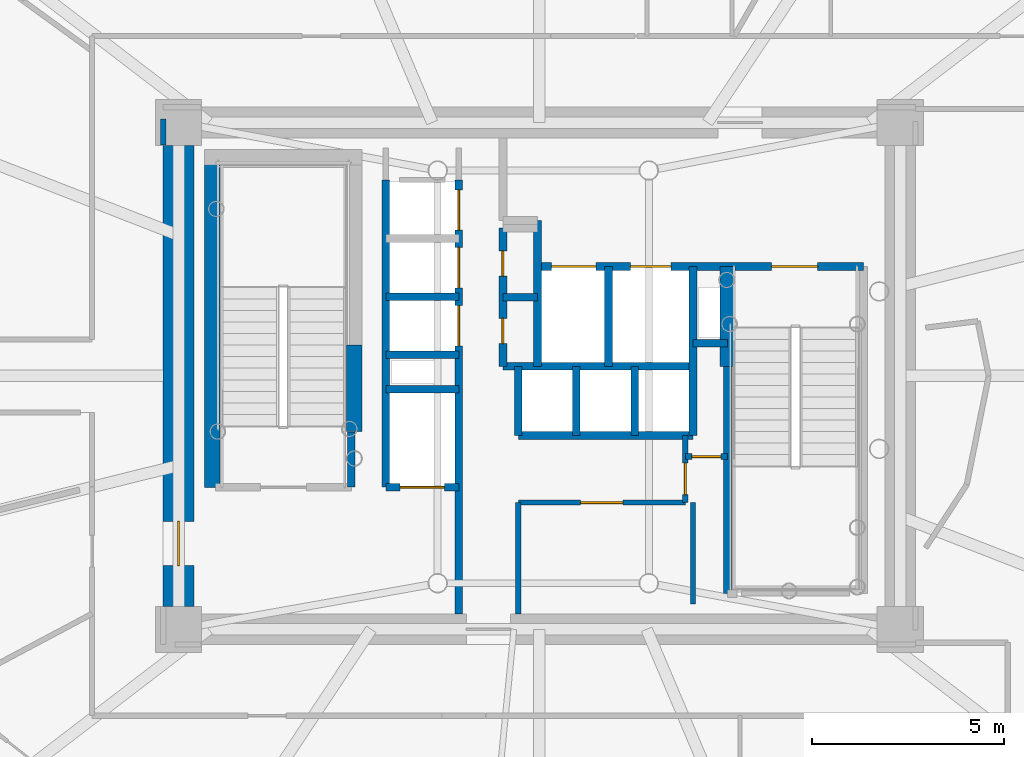
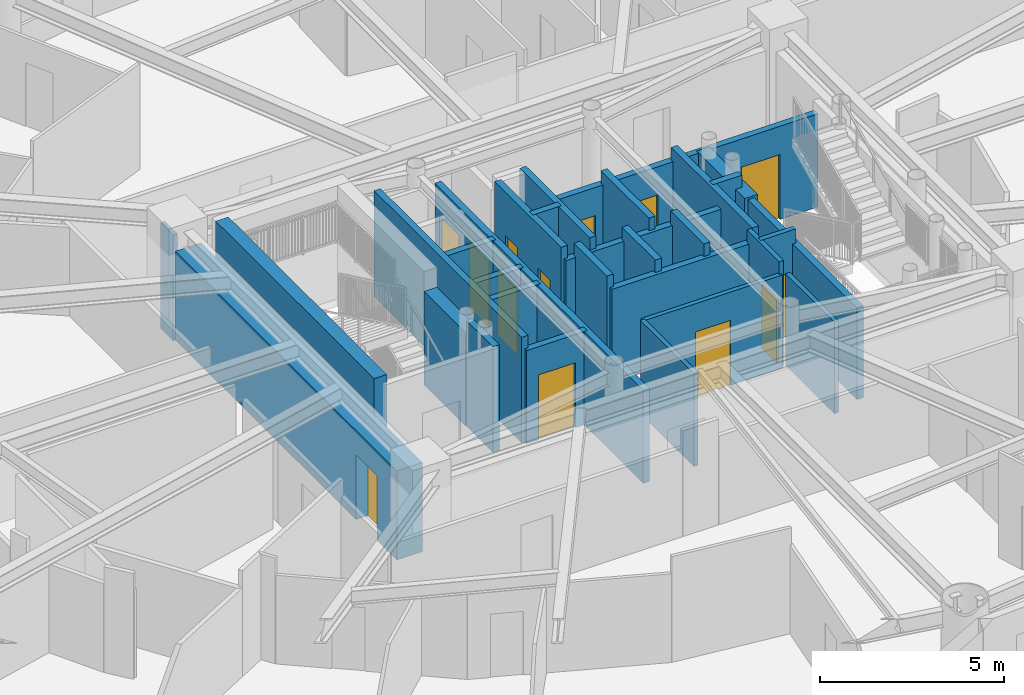
# One storey, part 8 of 17: 30 walls, 13 doors, 13 openings.
"""IFC4 building model written with IfcOpenShell, lengths in metres."""

from ifc_helpers import new_model, si_unit, direction, frame, frame_2d, origin, origin_2d, place, context, subcontext, project, spatial, rectangle, extrude, source, transform, mapped, material, layer, layer_set, type_object, element, fill, save


model = new_model("IFC4")

# Units and contexts
model_context = context("Model", 3, precision=1e-05, world=origin(), true_north=direction((0.0, 1.0)))
body_context = subcontext(model_context, "Body", "Model", "MODEL_VIEW")
ifc_project = project(units=[si_unit("LENGTHUNIT", "METRE"), si_unit("AREAUNIT", "SQUARE_METRE"), si_unit("VOLUMEUNIT", "CUBIC_METRE"), si_unit("PLANEANGLEUNIT", "RADIAN"), si_unit("MASSUNIT", "GRAM", prefix="KILO")], contexts=[model_context])

# Site, building, storey
site_placement = place(None, origin())
site = spatial("IfcSite", under=ifc_project, at=site_placement, CompositionType="ELEMENT")
building_placement = place(site_placement, origin())
building = spatial("IfcBuilding", under=site, at=building_placement, Name="Linh Dai School and Residence Tower", CompositionType="ELEMENT")
storey_placement = place(building_placement, frame((0.0, 0.0, 197.39990234375)))
storey = spatial("IfcBuildingStorey", under=building, at=storey_placement, Name="L48", CompositionType="ELEMENT", Elevation=197.39990234375)

# Wall
ifc_material_1 = material(Name="Autoclaved Aerated Concrete Blockwork", Category="masonry")
ifc_layer_1 = layer(ifc_material_1, 0.135009765625)
ifc_layer_set_1 = layer_set([ifc_layer_1], Name="Autoclaved Aerated Concrete Blockwork")
wall_type_1 = type_object("IfcWallType", Name="IW-CORR-135-EI90", PredefinedType="PARTITIONING", material=ifc_layer_set_1)
wall_1_placement = place(storey_placement, frame((35.449951171875, 20.800048828125, 0.0), z_axis=(0.0, 0.0, 1.0), x_axis=(0.0, 1.0, 0.0)))
element("IfcWall", 1, at=wall_1_placement, inside=storey, type_object=wall_type_1, Name="L48 Interior Partition Wall 044", PredefinedType="PARTITIONING", context=body_context, shape_type="SweptSolid", body=[
    extrude(rectangle(XDim=2.89990234375, YDim=0.135009765625, at=frame_2d((1.449951171875, 0.0))), origin(), (0.0, 0.0, 1.0), 3.085205078125),
])

# Wall, opening, door
wall_2_placement = place(storey_placement, frame((35.449951171875, 23.699951171875, 0.0), z_axis=(0.0, 0.0, 1.0), x_axis=(1.0, 0.0, 0.0)))
wall_2 = element("IfcWall", 2, at=wall_2_placement, inside=storey, type_object=wall_type_1, Name="L48 Interior Partition Wall 045", PredefinedType="PARTITIONING", context=body_context, shape_type="SweptSolid", body=[
    extrude(rectangle(XDim=4.35009765625, YDim=0.135009765625, at=frame_2d((2.175048828125, 0.0))), origin(), (0.0, 0.0, 1.0), 3.085205078125),
])
opening_1_placement = place(wall_2_placement, frame((1.625, 0.0, 0.0)))
opening_1 = element("IfcOpeningElement", 3, at=opening_1_placement, cuts=wall_2, Name="Opening D07", PredefinedType="OPENING", context=body_context, shape_type="SweptSolid", body=[
    extrude(rectangle(XDim=1.10009765625, YDim=2.14990234375, at=origin_2d()), frame((0.550048828125, 0.07763671875, 1.074951171875), z_axis=(0.0, -1.0, 0.0), x_axis=(1.0, 0.0, 0.0)), (0.0, 0.0, 1.0), 0.155029296875),
])
ifc_material_2 = material(Name="Fire-Rated Louvred Steel Plant Door", Category="steel")
door_type_1 = type_object("IfcDoorType", Name="DR-PLT-1100x2150-FD60S", OperationType="NOTDEFINED", PredefinedType="DOOR", material=ifc_material_2)
shared_shape_1 = source(origin(), body_context, "Body", "SweptSolid", [
    extrude(rectangle(XDim=1.10009765625, YDim=2.14990234375, at=origin_2d()), frame((0.550048828125, 0.02490234375, 1.074951171875), z_axis=(0.0, -1.0, 0.0), x_axis=(1.0, 0.0, 0.0)), (0.0, 0.0, 1.0), 0.050048828125),
])
door_1_placement = place(opening_1_placement, origin())
door_1 = element("IfcDoor", 4, at=door_1_placement, inside=storey, type_object=door_type_1, Name="L48 Tenant Metering and BMS Room Door", OperationType="SINGLE_SWING_RIGHT", OverallHeight=2.14990234375, OverallWidth=1.10009765625, PredefinedType="DOOR", context=body_context, shape_type="MappedRepresentation", body=[
    mapped(shared_shape_1, transform((0.0, 0.0, 0.0), x_axis=(1.0, 0.0, 0.0), y_axis=(0.0, 1.0, 0.0), z_axis=(0.0, 0.0, 1.0), scale=1.0)),
])
fill(opening_1, door_1)

wall_3_placement = place(storey_placement, frame((39.800048828125, 23.699951171875, 0.0), z_axis=(0.0, 0.0, 1.0), x_axis=(0.0, 1.0, 0.0)))
wall_3 = element("IfcWall", 5, at=wall_3_placement, inside=storey, type_object=wall_type_1, Name="L48 Interior Partition Wall 057", PredefinedType="PARTITIONING", context=body_context, shape_type="SweptSolid", body=[
    extrude(rectangle(XDim=1.75, YDim=0.135009765625, at=frame_2d((0.875, 0.0))), origin(), (0.0, 0.0, 1.0), 3.5),
])
opening_2_placement = place(wall_3_placement, frame((0.2099609375, 0.0, 0.0)))
opening_2 = element("IfcOpeningElement", 6, at=opening_2_placement, cuts=wall_3, Name="Opening D06", PredefinedType="OPENING", context=body_context, shape_type="SweptSolid", body=[
    extrude(rectangle(XDim=0.820068359375, YDim=2.10009765625, at=origin_2d()), frame((0.41015625, 0.07763671875, 1.050048828125), z_axis=(0.0, -1.0, 0.0), x_axis=(1.0, 0.0, 0.0)), (0.0, 0.0, 1.0), 0.155029296875),
])
ifc_material_3 = material(Name="Moisture-Resistant Timber Bathroom Door", Category="wood")
door_type_2 = type_object("IfcDoorType", Name="DR-WET-820x2100", OperationType="NOTDEFINED", PredefinedType="DOOR", material=ifc_material_3)
shared_shape_2 = source(origin(), body_context, "Body", "SweptSolid", [
    extrude(rectangle(XDim=0.820068359375, YDim=2.10009765625, at=origin_2d()), frame((0.41015625, 0.02490234375, 1.050048828125), z_axis=(0.0, -1.0, 0.0), x_axis=(1.0, 0.0, 0.0)), (0.0, 0.0, 1.0), 0.050048828125),
])
door_2_placement = place(opening_2_placement, origin())
door_2 = element("IfcDoor", 7, at=door_2_placement, inside=storey, type_object=door_type_2, Name="L48 SE Metering Closet Door", OperationType="SINGLE_SWING_LEFT", OverallHeight=2.10009765625, OverallWidth=0.820068359375, PredefinedType="DOOR", context=body_context, shape_type="MappedRepresentation", body=[
    mapped(shared_shape_2, transform((0.0, 0.0, 0.0), x_axis=(1.0, 0.0, 0.0), y_axis=(0.0, 1.0, 0.0), z_axis=(0.0, 0.0, 1.0), scale=1.0)),
])
fill(opening_2, door_2)

# Walls
wall_4_placement = place(storey_placement, frame((40.0, 23.699951171875, 0.0), z_axis=(0.0, 0.0, 1.0), x_axis=(0.0, -1.0, 0.0)))
element("IfcWall", 8, at=wall_4_placement, inside=storey, type_object=wall_type_1, Name="L48 Interior Partition Wall 093", PredefinedType="PARTITIONING", context=body_context, shape_type="SweptSolid", body=[
    extrude(rectangle(XDim=2.639892578125, YDim=0.135009765625, at=frame_2d((1.31982421875, 0.0))), origin(), (0.0, 0.0, 1.0), 3.03515625),
])
wall_5_placement = place(storey_placement, frame((26.199951171875, 33.6923828125, 0.0), z_axis=(0.0, 0.0, 1.0), x_axis=(0.0, -1.0, 0.0)))
element("IfcWall", 9, at=wall_5_placement, inside=storey, type_object=wall_type_1, Name="L48 Interior Partition Wall 100", PredefinedType="PARTITIONING", context=body_context, shape_type="SweptSolid", body=[
    extrude(rectangle(XDim=0.682373046875, YDim=0.135009765625, at=frame_2d((0.34130859375, 0.0))), origin(), (0.0, 0.0, 1.0), 3.5),
])

# Wall, opening, door
ifc_layer_2 = layer(ifc_material_1, 0.14990234375)
ifc_layer_set_2 = layer_set([ifc_layer_2], Name="Autoclaved Aerated Concrete Blockwork")
wall_type_2 = type_object("IfcWallType", Name="IW-SCH-150-EI60", PredefinedType="PARTITIONING", material=ifc_layer_set_2)
wall_6_placement = place(storey_placement, frame((39.800048828125, 24.89990234375, 0.0), z_axis=(0.0, 0.0, 1.0), x_axis=(1.0, 0.0, 0.0)))
wall_6 = element("IfcWall", 10, at=wall_6_placement, inside=storey, type_object=wall_type_2, Name="L48 Interior Partition Wall 058", PredefinedType="PARTITIONING", context=body_context, shape_type="SweptSolid", body=[
    extrude(rectangle(XDim=1.099853515625, YDim=0.14990234375, at=frame_2d((0.5498046875, 0.0))), origin(), (0.0, 0.0, 1.0), 3.5),
])
opening_3_placement = place(wall_6_placement, frame((0.169921875, 0.0, 0.0)))
opening_3 = element("IfcOpeningElement", 11, at=opening_3_placement, cuts=wall_6, Name="Opening D08", PredefinedType="OPENING", context=body_context, shape_type="SweptSolid", body=[
    extrude(rectangle(XDim=0.760009765625, YDim=2.10009765625, at=origin_2d()), frame((0.3798828125, 0.0849609375, 1.050048828125), z_axis=(0.0, -1.0, 0.0), x_axis=(1.0, 0.0, 0.0)), (0.0, 0.0, 1.0), 0.169921875),
])
ifc_material_4 = material(Name="Engineered Timber Closet and Study Door", Category="wood")
door_type_3 = type_object("IfcDoorType", Name="DR-CMP-760x2100", OperationType="NOTDEFINED", PredefinedType="DOOR", material=ifc_material_4)
shared_shape_3 = source(origin(), body_context, "Body", "SweptSolid", [
    extrude(rectangle(XDim=0.760009765625, YDim=2.10009765625, at=origin_2d()), frame((0.3798828125, 0.02490234375, 1.050048828125), z_axis=(0.0, -1.0, 0.0), x_axis=(1.0, 0.0, 0.0)), (0.0, 0.0, 1.0), 0.050048828125),
])
door_3_placement = place(opening_3_placement, origin())
door_3 = element("IfcDoor", 12, at=door_3_placement, inside=storey, type_object=door_type_3, Name="L48 NE Cleaners Store Door", OperationType="SINGLE_SWING_RIGHT", OverallHeight=2.10009765625, OverallWidth=0.760009765625, PredefinedType="DOOR", context=body_context, shape_type="MappedRepresentation", body=[
    mapped(shared_shape_3, transform((0.0, 0.0, 0.0), x_axis=(1.0, 0.0, 0.0), y_axis=(0.0, 1.0, 0.0), z_axis=(0.0, 0.0, 1.0), scale=1.0)),
])
fill(opening_3, door_3)

# Walls
ifc_material_5 = material(Name="Concrete B45 (C35/45)", Category="concrete")
ifc_layer_3 = layer(ifc_material_5, 0.199951171875)
ifc_layer_set_3 = layer_set([ifc_layer_3], Name="Concrete B45 (C35/45)")
wall_type_3 = type_object("IfcWallType", Name="IW-SHAFT-200-EI120", PredefinedType="PARTITIONING", material=ifc_layer_set_3)
wall_7_placement = place(storey_placement, frame((31.10009765625, 24.10009765625, 0.0), z_axis=(0.0, 0.0, 1.0), x_axis=(0.0, 1.0, 0.0)))
element("IfcWall", 13, at=wall_7_placement, inside=storey, type_object=wall_type_3, Name="L48 Interior Partition Wall 028", PredefinedType="PARTITIONING", context=body_context, shape_type="SweptSolid", body=[
    extrude(rectangle(XDim=1.43994140625, YDim=0.199951171875, at=frame_2d((0.719970703125, 0.0))), origin(), (0.0, 0.0, 1.0), 3.5),
])
wall_8_placement = place(storey_placement, frame((32.0, 24.10009765625, 0.0), z_axis=(0.0, 0.0, 1.0), x_axis=(0.0, 1.0, 0.0)))
element("IfcWall", 14, at=wall_8_placement, inside=storey, type_object=wall_type_3, Name="L48 Interior Partition Wall 029", PredefinedType="PARTITIONING", context=body_context, shape_type="SweptSolid", body=[
    extrude(rectangle(XDim=8.0, YDim=0.199951171875, at=frame_2d((4.0, 0.0))), origin(), (0.0, 0.0, 1.0), 3.5),
])

# Wall, opening, door
wall_9_placement = place(storey_placement, frame((32.0, 24.10009765625, 0.0), z_axis=(0.0, 0.0, 1.0), x_axis=(1.0, 0.0, 0.0)))
wall_9 = element("IfcWall", 15, at=wall_9_placement, inside=storey, type_object=wall_type_3, Name="L48 Interior Partition Wall 030", PredefinedType="PARTITIONING", context=body_context, shape_type="SweptSolid", body=[
    extrude(rectangle(XDim=1.89990234375, YDim=0.199951171875, at=frame_2d((0.949951171875, 0.0))), origin(), (0.0, 0.0, 1.0), 3.085205078125),
])
opening_4_placement = place(wall_9_placement, frame((0.375, 0.0, 0.0)))
opening_4 = element("IfcOpeningElement", 16, at=opening_4_placement, cuts=wall_9, Name="Opening LD-FF2", PredefinedType="OPENING", context=body_context, shape_type="SweptSolid", body=[
    extrude(rectangle(XDim=1.14990234375, YDim=2.14990234375, at=origin_2d()), frame((0.574951171875, 0.10986328125, 1.074951171875), z_axis=(0.0, -1.0, 0.0), x_axis=(1.0, 0.0, 0.0)), (0.0, 0.0, 1.0), 0.219970703125),
])
ifc_material_6 = material(Name="Fire-Rated Stainless Steel Firefighting Lift Door", Category="steel")
door_type_4 = type_object("IfcDoorType", Name="DR-LD-FF-1150x2150-FD120", OperationType="DOUBLE_DOOR_SLIDING", PredefinedType="USERDEFINED", material=ifc_material_6)
shared_shape_4 = source(origin(), body_context, "Body", "SweptSolid", [
    extrude(rectangle(XDim=1.14990234375, YDim=2.14990234375, at=origin_2d()), frame((0.574951171875, 0.02490234375, 1.074951171875), z_axis=(0.0, -1.0, 0.0), x_axis=(1.0, 0.0, 0.0)), (0.0, 0.0, 1.0), 0.050048828125),
])
door_4_placement = place(opening_4_placement, origin())
door_4 = element("IfcDoor", 17, at=door_4_placement, inside=storey, type_object=door_type_4, Name="L48 Lift FF2 Sliding Landing Door", ObjectType="LANDING DOOR", OperationType="DOUBLE_DOOR_SLIDING", OverallHeight=2.14990234375, OverallWidth=1.14990234375, PredefinedType="USERDEFINED", context=body_context, shape_type="MappedRepresentation", body=[
    mapped(shared_shape_4, transform((0.0, 0.0, 0.0), x_axis=(1.0, 0.0, 0.0), y_axis=(0.0, 1.0, 0.0), z_axis=(0.0, 0.0, 1.0), scale=1.0)),
])
fill(opening_4, door_4)

# Walls
for number, where, z_axis, x_axis, name in (
    (18, (32.0, 26.64990234375, 0.0), (0.0, 0.0, 1.0), (1.0, 0.0, 0.0), "L48 Interior Partition Wall 031"),
    (19, (32.0, 27.550048828125, 0.0), (0.0, 0.0, 1.0), (1.0, 0.0, 0.0), "L48 Interior Partition Wall 032"),
    (20, (32.0, 29.06005859375, 0.0), (0.0, 0.0, 1.0), (1.0, 0.0, 0.0), "L48 Interior Partition Wall 033"),
):
    element("IfcWall", number, at=place(storey_placement, frame(where, z_axis=z_axis, x_axis=x_axis)), inside=storey, type_object=wall_type_3, Name=name, PredefinedType="PARTITIONING", context=body_context, shape_type="SweptSolid", body=[
        extrude(rectangle(XDim=1.89990234375, YDim=0.199951171875, at=frame_2d((0.949951171875, 0.0))), origin(), (0.0, 0.0, 1.0), 3.085205078125),
    ])

# Wall, openings, doors
wall_10_placement = place(storey_placement, frame((33.89990234375, 20.800048828125, 0.0), z_axis=(0.0, 0.0, 1.0), x_axis=(0.0, 1.0, 0.0)))
wall_10 = element("IfcWall", 21, at=wall_10_placement, inside=storey, type_object=wall_type_3, Name="L48 Interior Partition Wall 036", PredefinedType="PARTITIONING", context=body_context, shape_type="SweptSolid", body=[
    extrude(rectangle(XDim=11.300048828125, YDim=0.199951171875, at=frame_2d((5.64990234375, 0.0))), origin(), (0.0, 0.0, 1.0), 3.085205078125),
])
opening_5_placement = place(wall_10_placement, frame((6.97998046875, 0.0, 0.0)))
opening_5 = element("IfcOpeningElement", 22, at=opening_5_placement, cuts=wall_10, Name="Opening LD-PL4", PredefinedType="OPENING", context=body_context, shape_type="SweptSolid", body=[
    extrude(rectangle(XDim=1.050048828125, YDim=2.14990234375, at=origin_2d()), frame((0.52490234375, 0.10986328125, 1.074951171875), z_axis=(0.0, -1.0, 0.0), x_axis=(1.0, 0.0, 0.0)), (0.0, 0.0, 1.0), 0.219970703125),
])
opening_6_placement = place(wall_10_placement, frame((8.4951171875, 0.0, 0.0)))
opening_6 = element("IfcOpeningElement", 23, at=opening_6_placement, cuts=wall_10, Name="Opening LD-PL5", PredefinedType="OPENING", context=body_context, shape_type="SweptSolid", body=[
    extrude(rectangle(XDim=1.050048828125, YDim=2.14990234375, at=origin_2d()), frame((0.52490234375, 0.10986328125, 1.074951171875), z_axis=(0.0, -1.0, 0.0), x_axis=(1.0, 0.0, 0.0)), (0.0, 0.0, 1.0), 0.219970703125),
])
opening_7_placement = place(wall_10_placement, frame((9.9951171875, 0.0, 0.0)))
opening_7 = element("IfcOpeningElement", 24, at=opening_7_placement, cuts=wall_10, Name="Opening LD-PL6", PredefinedType="OPENING", context=body_context, shape_type="SweptSolid", body=[
    extrude(rectangle(XDim=1.050048828125, YDim=2.14990234375, at=origin_2d()), frame((0.52490234375, 0.10986328125, 1.074951171875), z_axis=(0.0, -1.0, 0.0), x_axis=(1.0, 0.0, 0.0)), (0.0, 0.0, 1.0), 0.219970703125),
])
ifc_material_7 = material(Name="Brushed Stainless Steel Lift Landing Door", Category="steel")
door_type_5 = type_object("IfcDoorType", Name="DR-LD-PASS-1050x2150", OperationType="DOUBLE_DOOR_SLIDING", PredefinedType="USERDEFINED", material=ifc_material_7)
shared_shape_5 = source(origin(), body_context, "Body", "SweptSolid", [
    extrude(rectangle(XDim=1.050048828125, YDim=2.14990234375, at=origin_2d()), frame((0.52490234375, 0.02490234375, 1.074951171875), z_axis=(0.0, -1.0, 0.0), x_axis=(1.0, 0.0, 0.0)), (0.0, 0.0, 1.0), 0.050048828125),
])
door_5_placement = place(opening_5_placement, origin())
door_5 = element("IfcDoor", 25, at=door_5_placement, inside=storey, type_object=door_type_5, Name="L48 Lift PL4 Sliding Landing Door", ObjectType="LANDING DOOR", OperationType="DOUBLE_DOOR_SLIDING", OverallHeight=2.14990234375, OverallWidth=1.050048828125, PredefinedType="USERDEFINED", context=body_context, shape_type="MappedRepresentation", body=[
    mapped(shared_shape_5, transform((0.0, 0.0, 0.0), x_axis=(1.0, 0.0, 0.0), y_axis=(0.0, 1.0, 0.0), z_axis=(0.0, 0.0, 1.0), scale=1.0)),
])
fill(opening_5, door_5)
door_6_placement = place(opening_6_placement, origin())
door_6 = element("IfcDoor", 26, at=door_6_placement, inside=storey, type_object=door_type_5, Name="L48 Lift PL5 Sliding Landing Door", ObjectType="LANDING DOOR", OperationType="DOUBLE_DOOR_SLIDING", OverallHeight=2.14990234375, OverallWidth=1.050048828125, PredefinedType="USERDEFINED", context=body_context, shape_type="MappedRepresentation", body=[
    mapped(shared_shape_5, transform((0.0, 0.0, 0.0), x_axis=(1.0, 0.0, 0.0), y_axis=(0.0, 1.0, 0.0), z_axis=(0.0, 0.0, 1.0), scale=1.0)),
])
fill(opening_6, door_6)
door_7_placement = place(opening_7_placement, origin())
door_7 = element("IfcDoor", 27, at=door_7_placement, inside=storey, type_object=door_type_5, Name="L48 Lift PL6 Sliding Landing Door", ObjectType="LANDING DOOR", OperationType="DOUBLE_DOOR_SLIDING", OverallHeight=2.14990234375, OverallWidth=1.050048828125, PredefinedType="USERDEFINED", context=body_context, shape_type="MappedRepresentation", body=[
    mapped(shared_shape_5, transform((0.0, 0.0, 0.0), x_axis=(1.0, 0.0, 0.0), y_axis=(0.0, 1.0, 0.0), z_axis=(0.0, 0.0, 1.0), scale=1.0)),
])
fill(opening_7, door_7)

wall_11_placement = place(storey_placement, frame((35.050048828125, 27.25, 0.0), z_axis=(0.0, 0.0, 1.0), x_axis=(0.0, 1.0, 0.0)))
wall_11 = element("IfcWall", 28, at=wall_11_placement, inside=storey, type_object=wall_type_3, Name="L48 Interior Partition Wall 038", PredefinedType="PARTITIONING", context=body_context, shape_type="SweptSolid", body=[
    extrude(rectangle(XDim=3.60009765625, YDim=0.199951171875, at=frame_2d((1.800048828125, 0.0))), origin(), (0.0, 0.0, 1.0), 3.5),
])
opening_8_placement = place(wall_11_placement, frame((0.590087890625, 0.0, 0.0)))
opening_8 = element("IfcOpeningElement", 29, at=opening_8_placement, cuts=wall_11, Name="Opening AD1", PredefinedType="OPENING", context=body_context, shape_type="SweptSolid", body=[
    extrude(rectangle(XDim=0.659912109375, YDim=2.050048828125, at=origin_2d()), frame((0.330078125, 0.10986328125, 1.02490234375), z_axis=(0.0, -1.0, 0.0), x_axis=(1.0, 0.0, 0.0)), (0.0, 0.0, 1.0), 0.219970703125),
])
opening_9_placement = place(wall_11_placement, frame((2.35009765625, 0.0, 0.0)))
opening_9 = element("IfcOpeningElement", 30, at=opening_9_placement, cuts=wall_11, Name="Opening AD1", PredefinedType="OPENING", context=body_context, shape_type="SweptSolid", body=[
    extrude(rectangle(XDim=0.659912109375, YDim=2.050048828125, at=origin_2d()), frame((0.330078125, 0.10986328125, 1.02490234375), z_axis=(0.0, -1.0, 0.0), x_axis=(1.0, 0.0, 0.0)), (0.0, 0.0, 1.0), 0.219970703125),
])
ifc_material_8 = material(Name="Fire-Rated Steel Riser Access Door", Category="steel")
door_type_6 = type_object("IfcDoorType", Name="DR-ACC-660x2050-FD90S", OperationType="NOTDEFINED", PredefinedType="USERDEFINED", material=ifc_material_8)
shared_shape_6 = source(origin(), body_context, "Body", "SweptSolid", [
    extrude(rectangle(XDim=0.659912109375, YDim=2.050048828125, at=origin_2d()), frame((0.330078125, 0.02490234375, 1.02490234375), z_axis=(0.0, -1.0, 0.0), x_axis=(1.0, 0.0, 0.0)), (0.0, 0.0, 1.0), 0.050048828125),
])
door_8_placement = place(opening_8_placement, origin())
door_8 = element("IfcDoor", 31, at=door_8_placement, inside=storey, type_object=door_type_6, Name="L48 Telecom and Data Riser Access Door", ObjectType="ACCESS DOOR", OperationType="SINGLE_SWING_RIGHT", OverallHeight=2.050048828125, OverallWidth=0.659912109375, PredefinedType="USERDEFINED", context=body_context, shape_type="MappedRepresentation", body=[
    mapped(shared_shape_6, transform((0.0, 0.0, 0.0), x_axis=(1.0, 0.0, 0.0), y_axis=(0.0, 1.0, 0.0), z_axis=(0.0, 0.0, 1.0), scale=1.0)),
])
fill(opening_8, door_8)
door_9_placement = place(opening_9_placement, origin())
door_9 = element("IfcDoor", 32, at=door_9_placement, inside=storey, type_object=door_type_6, Name="L48 Mechanical and Plumbing Riser Access Door", ObjectType="ACCESS DOOR", OperationType="SINGLE_SWING_LEFT", OverallHeight=2.050048828125, OverallWidth=0.659912109375, PredefinedType="USERDEFINED", context=body_context, shape_type="MappedRepresentation", body=[
    mapped(shared_shape_6, transform((0.0, 0.0, 0.0), x_axis=(1.0, 0.0, 0.0), y_axis=(0.0, 1.0, 0.0), z_axis=(0.0, 0.0, 1.0), scale=1.0)),
])
fill(opening_9, door_9)

# Walls
wall_12_placement = place(storey_placement, frame((35.050048828125, 27.25, 0.0), z_axis=(0.0, 0.0, 1.0), x_axis=(1.0, 0.0, 0.0)))
element("IfcWall", 33, at=wall_12_placement, inside=storey, type_object=wall_type_3, Name="L48 Interior Partition Wall 039", PredefinedType="PARTITIONING", context=body_context, shape_type="SweptSolid", body=[
    extrude(rectangle(XDim=4.949951171875, YDim=0.199951171875, at=frame_2d((2.47509765625, 0.0))), origin(), (0.0, 0.0, 1.0), 3.085205078125),
])
wall_13_placement = place(storey_placement, frame((35.050048828125, 29.050048828125, 0.0), z_axis=(0.0, 0.0, 1.0), x_axis=(1.0, 0.0, 0.0)))
element("IfcWall", 34, at=wall_13_placement, inside=storey, type_object=wall_type_3, Name="L48 Interior Partition Wall 040", PredefinedType="PARTITIONING", context=body_context, shape_type="SweptSolid", body=[
    extrude(rectangle(XDim=0.89990234375, YDim=0.199951171875, at=frame_2d((0.449951171875, 0.0))), origin(), (0.0, 0.0, 1.0), 3.5),
])
wall_14_placement = place(storey_placement, frame((35.449951171875, 25.449951171875, 0.0), z_axis=(0.0, 0.0, 1.0), x_axis=(0.0, 1.0, 0.0)))
element("IfcWall", 35, at=wall_14_placement, inside=storey, type_object=wall_type_3, Name="L48 Interior Partition Wall 046", PredefinedType="PARTITIONING", context=body_context, shape_type="SweptSolid", body=[
    extrude(rectangle(XDim=1.800048828125, YDim=0.199951171875, at=frame_2d((0.89990234375, 0.0))), origin(), (0.0, 0.0, 1.0), 3.5),
])
wall_15_placement = place(storey_placement, frame((35.449951171875, 25.449951171875, 0.0), z_axis=(0.0, 0.0, 1.0), x_axis=(1.0, 0.0, 0.0)))
element("IfcWall", 36, at=wall_15_placement, inside=storey, type_object=wall_type_3, Name="L48 Interior Partition Wall 047", PredefinedType="PARTITIONING", context=body_context, shape_type="SweptSolid", body=[
    extrude(rectangle(XDim=4.550048828125, YDim=0.199951171875, at=frame_2d((2.27490234375, 0.0))), origin(), (0.0, 0.0, 1.0), 3.085205078125),
])
wall_16_placement = place(storey_placement, frame((35.949951171875, 27.25, 0.0), z_axis=(0.0, 0.0, 1.0), x_axis=(0.0, 1.0, 0.0)))
element("IfcWall", 37, at=wall_16_placement, inside=storey, type_object=wall_type_3, Name="L48 Interior Partition Wall 048", PredefinedType="PARTITIONING", context=body_context, shape_type="SweptSolid", body=[
    extrude(rectangle(XDim=3.800048828125, YDim=0.199951171875, at=frame_2d((1.89990234375, 0.0))), origin(), (0.0, 0.0, 1.0), 3.5),
])

# Wall, openings, doors
wall_17_placement = place(storey_placement, frame((35.949951171875, 29.85009765625, 0.0), z_axis=(0.0, 0.0, 1.0), x_axis=(1.0, 0.0, 0.0)))
wall_17 = element("IfcWall", 38, at=wall_17_placement, inside=storey, type_object=wall_type_3, Name="L48 Interior Partition Wall 049", PredefinedType="PARTITIONING", context=body_context, shape_type="SweptSolid", body=[
    extrude(rectangle(XDim=8.489990234375, YDim=0.199951171875, at=frame_2d((4.2451171875, 0.0))), origin(), (0.0, 0.0, 1.0), 3.085205078125),
])
opening_10_placement = place(wall_17_placement, frame((6.10009765625, 0.0, 0.0)))
opening_10 = element("IfcOpeningElement", 39, at=opening_10_placement, cuts=wall_17, Name="Opening D01", PredefinedType="OPENING", context=body_context, shape_type="SweptSolid", body=[
    extrude(rectangle(XDim=1.199951171875, YDim=2.14990234375, at=origin_2d()), frame((0.60009765625, 0.10986328125, 1.074951171875), z_axis=(0.0, -1.0, 0.0), x_axis=(1.0, 0.0, 0.0)), (0.0, 0.0, 1.0), 0.219970703125),
])
opening_11_placement = place(wall_17_placement, frame((0.3701171875, 0.0, 0.0)))
opening_11 = element("IfcOpeningElement", 40, at=opening_11_placement, cuts=wall_17, Name="Opening LD-FF1", PredefinedType="OPENING", context=body_context, shape_type="SweptSolid", body=[
    extrude(rectangle(XDim=1.14990234375, YDim=2.14990234375, at=origin_2d()), frame((0.574951171875, 0.10986328125, 1.074951171875), z_axis=(0.0, -1.0, 0.0), x_axis=(1.0, 0.0, 0.0)), (0.0, 0.0, 1.0), 0.219970703125),
])
opening_12_placement = place(wall_17_placement, frame((2.425048828125, 0.0, 0.0)))
opening_12 = element("IfcOpeningElement", 41, at=opening_12_placement, cuts=wall_17, Name="Opening LD-SV1", PredefinedType="OPENING", context=body_context, shape_type="SweptSolid", body=[
    extrude(rectangle(XDim=1.050048828125, YDim=2.14990234375, at=origin_2d()), frame((0.52490234375, 0.10986328125, 1.074951171875), z_axis=(0.0, -1.0, 0.0), x_axis=(1.0, 0.0, 0.0)), (0.0, 0.0, 1.0), 0.219970703125),
])
ifc_material_9 = material(Name="Fire-Rated Steel Door Leaf", Category="steel")
door_type_7 = type_object("IfcDoorType", Name="DR-STAIR-1200x2150-FD90S", OperationType="NOTDEFINED", PredefinedType="DOOR", material=ifc_material_9)
shared_shape_7 = source(origin(), body_context, "Body", "SweptSolid", [
    extrude(rectangle(XDim=1.199951171875, YDim=2.14990234375, at=origin_2d()), frame((0.60009765625, 0.02490234375, 1.074951171875), z_axis=(0.0, -1.0, 0.0), x_axis=(1.0, 0.0, 0.0)), (0.0, 0.0, 1.0), 0.050048828125),
])
door_10_placement = place(opening_10_placement, origin())
door_10 = element("IfcDoor", 42, at=door_10_placement, inside=storey, type_object=door_type_7, Name="L48 Core Smokeproof Exit Stair ST2 Door", OperationType="SINGLE_SWING_LEFT", OverallHeight=2.14990234375, OverallWidth=1.199951171875, PredefinedType="DOOR", context=body_context, shape_type="MappedRepresentation", body=[
    mapped(shared_shape_7, transform((0.0, 0.0, 0.0), x_axis=(1.0, 0.0, 0.0), y_axis=(0.0, 1.0, 0.0), z_axis=(0.0, 0.0, 1.0), scale=1.0)),
])
fill(opening_10, door_10)
door_11_placement = place(opening_11_placement, origin())
door_11 = element("IfcDoor", 43, at=door_11_placement, inside=storey, type_object=door_type_4, Name="L48 Lift FF1 Sliding Landing Door", ObjectType="LANDING DOOR", OperationType="DOUBLE_DOOR_SLIDING", OverallHeight=2.14990234375, OverallWidth=1.14990234375, PredefinedType="USERDEFINED", context=body_context, shape_type="MappedRepresentation", body=[
    mapped(shared_shape_4, transform((0.0, 0.0, 0.0), x_axis=(1.0, 0.0, 0.0), y_axis=(0.0, 1.0, 0.0), z_axis=(0.0, 0.0, 1.0), scale=1.0)),
])
fill(opening_11, door_11)
door_12_placement = place(opening_12_placement, origin())
door_12 = element("IfcDoor", 44, at=door_12_placement, inside=storey, type_object=door_type_5, Name="L48 Lift SV1 Sliding Landing Door", ObjectType="LANDING DOOR", OperationType="DOUBLE_DOOR_SLIDING", OverallHeight=2.14990234375, OverallWidth=1.050048828125, PredefinedType="USERDEFINED", context=body_context, shape_type="MappedRepresentation", body=[
    mapped(shared_shape_5, transform((0.0, 0.0, 0.0), x_axis=(1.0, 0.0, 0.0), y_axis=(0.0, 1.0, 0.0), z_axis=(0.0, 0.0, 1.0), scale=1.0)),
])
fill(opening_12, door_12)

# Walls
wall_18_placement = place(storey_placement, frame((36.9599609375, 25.449951171875, 0.0), z_axis=(0.0, 0.0, 1.0), x_axis=(0.0, 1.0, 0.0)))
element("IfcWall", 45, at=wall_18_placement, inside=storey, type_object=wall_type_3, Name="L48 Interior Partition Wall 052", PredefinedType="PARTITIONING", context=body_context, shape_type="SweptSolid", body=[
    extrude(rectangle(XDim=1.800048828125, YDim=0.199951171875, at=frame_2d((0.89990234375, 0.0))), origin(), (0.0, 0.0, 1.0), 3.5),
])
wall_19_placement = place(storey_placement, frame((37.800048828125, 27.25, 0.0), z_axis=(0.0, 0.0, 1.0), x_axis=(0.0, 1.0, 0.0)))
element("IfcWall", 46, at=wall_19_placement, inside=storey, type_object=wall_type_3, Name="L48 Interior Partition Wall 053", PredefinedType="PARTITIONING", context=body_context, shape_type="SweptSolid", body=[
    extrude(rectangle(XDim=2.60009765625, YDim=0.199951171875, at=frame_2d((1.300048828125, 0.0))), origin(), (0.0, 0.0, 1.0), 3.5),
])
wall_20_placement = place(storey_placement, frame((38.47998046875, 25.449951171875, 0.0), z_axis=(0.0, 0.0, 1.0), x_axis=(0.0, 1.0, 0.0)))
element("IfcWall", 47, at=wall_20_placement, inside=storey, type_object=wall_type_3, Name="L48 Interior Partition Wall 054", PredefinedType="PARTITIONING", context=body_context, shape_type="SweptSolid", body=[
    extrude(rectangle(XDim=1.800048828125, YDim=0.199951171875, at=frame_2d((0.89990234375, 0.0))), origin(), (0.0, 0.0, 1.0), 3.5),
])
wall_21_placement = place(storey_placement, frame((40.0, 25.449951171875, 0.0), z_axis=(0.0, 0.0, 1.0), x_axis=(0.0, 1.0, 0.0)))
element("IfcWall", 48, at=wall_21_placement, inside=storey, type_object=wall_type_3, Name="L48 Interior Partition Wall 059", PredefinedType="PARTITIONING", context=body_context, shape_type="SweptSolid", body=[
    extrude(rectangle(XDim=4.400146484375, YDim=0.199951171875, at=frame_2d((2.2001953125, 0.0))), origin(), (0.0, 0.0, 1.0), 3.5),
])
wall_22_placement = place(storey_placement, frame((40.0, 27.85009765625, 0.0), z_axis=(0.0, 0.0, 1.0), x_axis=(1.0, 0.0, 0.0)))
element("IfcWall", 49, at=wall_22_placement, inside=storey, type_object=wall_type_3, Name="L48 Interior Partition Wall 060", PredefinedType="PARTITIONING", context=body_context, shape_type="SweptSolid", body=[
    extrude(rectangle(XDim=0.89990234375, YDim=0.199951171875, at=frame_2d((0.449951171875, 0.0))), origin(), (0.0, 0.0, 1.0), 3.5),
])
wall_23_placement = place(storey_placement, frame((40.89990234375, 21.330078125, 0.0), z_axis=(0.0, 0.0, 1.0), x_axis=(0.0, 1.0, 0.0)))
element("IfcWall", 50, at=wall_23_placement, inside=storey, type_object=wall_type_3, Name="L48 Interior Partition Wall 063", PredefinedType="PARTITIONING", context=body_context, shape_type="SweptSolid", body=[
    extrude(rectangle(XDim=5.909912109375, YDim=0.199951171875, at=frame_2d((2.955078125, 0.0))), origin(), (0.0, 0.0, 1.0), 3.03515625),
])
ifc_layer_4 = layer(ifc_material_5, 0.39990234375)
ifc_layer_set_4 = layer_set([ifc_layer_4], Name="Concrete B45 (C35/45)")
wall_type_4 = type_object("IfcWallType", Name="WL-CORE400", PredefinedType="SHEAR", material=ifc_layer_set_4)
wall_24_placement = place(storey_placement, frame((27.47998046875, 24.10009765625, 0.0), z_axis=(0.0, 0.0, 1.0), x_axis=(0.0, 1.0, 0.0)))
element("IfcWall", 51, at=wall_24_placement, inside=storey, type_object=wall_type_4, Name="L48 Core Stair ST1 Bearing Wall W", PredefinedType="SHEAR", context=body_context, shape_type="SweptSolid", body=[
    extrude(rectangle(XDim=8.599853515625, YDim=0.39990234375, at=frame_2d((4.2998046875, 0.0))), origin(), (0.0, 0.0, 1.0), 3.75),
])
wall_25_placement = place(storey_placement, frame((31.179931640625, 25.550048828125, 0.0), z_axis=(0.0, 0.0, 1.0), x_axis=(0.0, 1.0, 0.0)))
element("IfcWall", 52, at=wall_25_placement, inside=storey, type_object=wall_type_4, Name="L48 Internal Core Shear Wall IW", PredefinedType="SHEAR", context=body_context, shape_type="SweptSolid", body=[
    extrude(rectangle(XDim=2.25, YDim=0.39990234375, at=frame_2d((1.125, 0.0))), origin(), (0.0, 0.0, 1.0), 3.10009765625),
])
wall_26_placement = place(storey_placement, frame((40.89990234375, 27.25, 0.0), z_axis=(0.0, 0.0, 1.0), x_axis=(0.0, 1.0, 0.0)))
element("IfcWall", 53, at=wall_26_placement, inside=storey, type_object=wall_type_4, Name="L48 Internal Core Shear Wall IE", PredefinedType="SHEAR", context=body_context, shape_type="SweptSolid", body=[
    extrude(rectangle(XDim=2.60009765625, YDim=0.39990234375, at=frame_2d((1.300048828125, 0.0))), origin(), (0.0, 0.0, 1.0), 3.10009765625),
])

# Wall, opening, door
ifc_material_10 = material(Name="Concrete B60 (C50/60)", Category="concrete")
ifc_layer_5 = layer(ifc_material_10, 0.800048828125)
ifc_layer_set_5 = layer_set([ifc_layer_5], Name="Concrete B60 (C50/60)")
wall_type_5 = type_object("IfcWallType", Name="WL-CORE800", PredefinedType="SHEAR", material=ifc_layer_set_5)
wall_27_placement = place(storey_placement, frame((26.60009765625, 21.0, 0.0), z_axis=(0.0, 0.0, 1.0), x_axis=(0.0, 1.0, 0.0)))
wall_27 = element("IfcWall", 54, at=wall_27_placement, inside=storey, type_object=wall_type_5, Name="L48 Central Core Shear Wall W", PredefinedType="SHEAR", context=body_context, shape_type="SweptSolid", body=[
    extrude(rectangle(XDim=12.0, YDim=0.800048828125, at=frame_2d((6.0, 0.0))), origin(), (0.0, 0.0, 1.0), 2.9501953125),
])
opening_13_placement = place(wall_27_placement, frame((1.061279296875, 0.0, 0.0)))
opening_13 = element("IfcOpeningElement", 55, at=opening_13_placement, cuts=wall_27, Name="Opening D02", PredefinedType="OPENING", context=body_context, shape_type="SweptSolid", body=[
    extrude(rectangle(XDim=1.14990234375, YDim=2.14990234375, at=origin_2d()), frame((0.574951171875, 0.41015625, 1.074951171875), z_axis=(0.0, -1.0, 0.0), x_axis=(1.0, 0.0, 0.0)), (0.0, 0.0, 1.0), 0.820068359375),
])
ifc_material_11 = material(Name="Fire-Rated Glazed Steel Lobby Door", Category="steel")
door_type_8 = type_object("IfcDoorType", Name="DR-LOBBY-1150x2150-FD90S", OperationType="NOTDEFINED", PredefinedType="DOOR", material=ifc_material_11)
shared_shape_8 = source(origin(), body_context, "Body", "SweptSolid", [
    extrude(rectangle(XDim=1.14990234375, YDim=2.14990234375, at=origin_2d()), frame((0.574951171875, 0.02490234375, 1.074951171875), z_axis=(0.0, -1.0, 0.0), x_axis=(1.0, 0.0, 0.0)), (0.0, 0.0, 1.0), 0.050048828125),
])
door_13_placement = place(opening_13_placement, origin())
door_13 = element("IfcDoor", 56, at=door_13_placement, inside=storey, type_object=door_type_8, Name="L48 Firefighting Lobby Door", OperationType="SINGLE_SWING_LEFT", OverallHeight=2.14990234375, OverallWidth=1.14990234375, PredefinedType="DOOR", context=body_context, shape_type="MappedRepresentation", body=[
    mapped(shared_shape_8, transform((0.0, 0.0, 0.0), x_axis=(1.0, 0.0, 0.0), y_axis=(0.0, 1.0, 0.0), z_axis=(0.0, 0.0, 1.0), scale=1.0)),
])
fill(opening_13, door_13)

save(model, "model.ifc")
